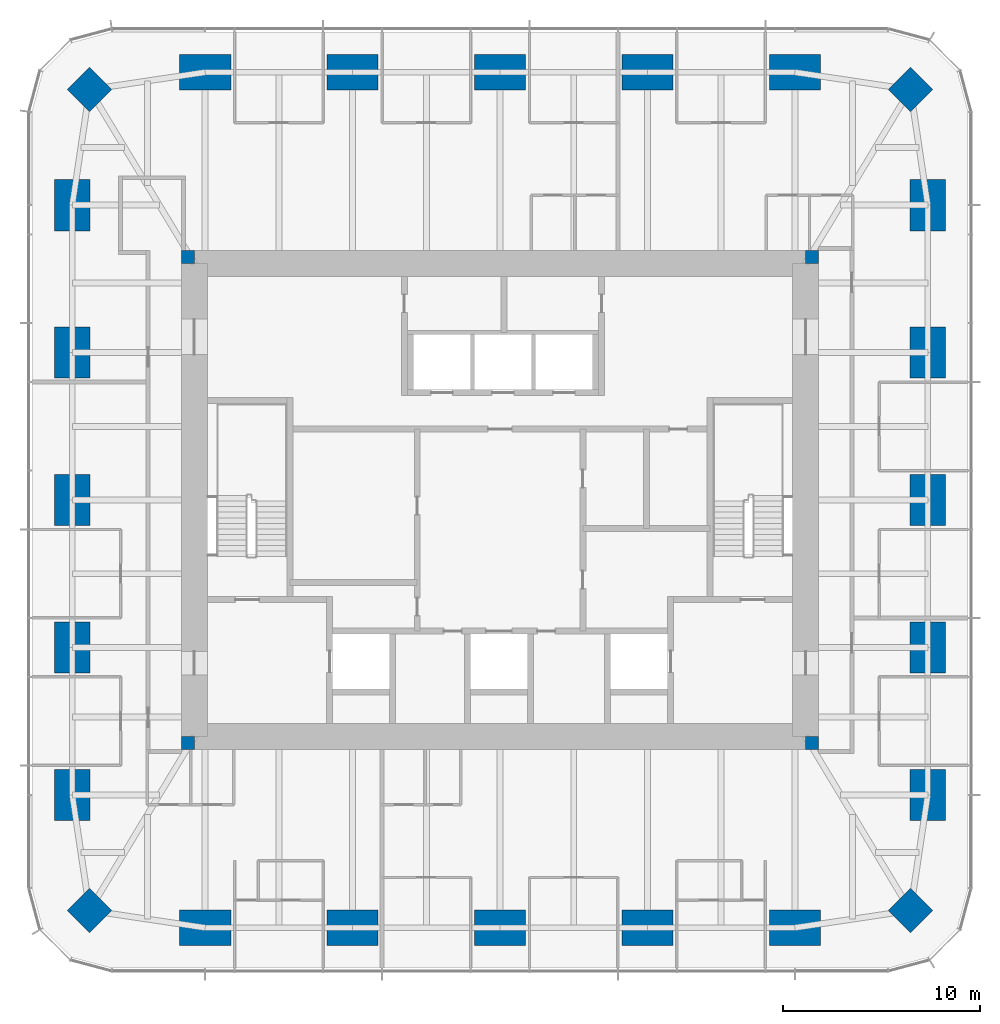
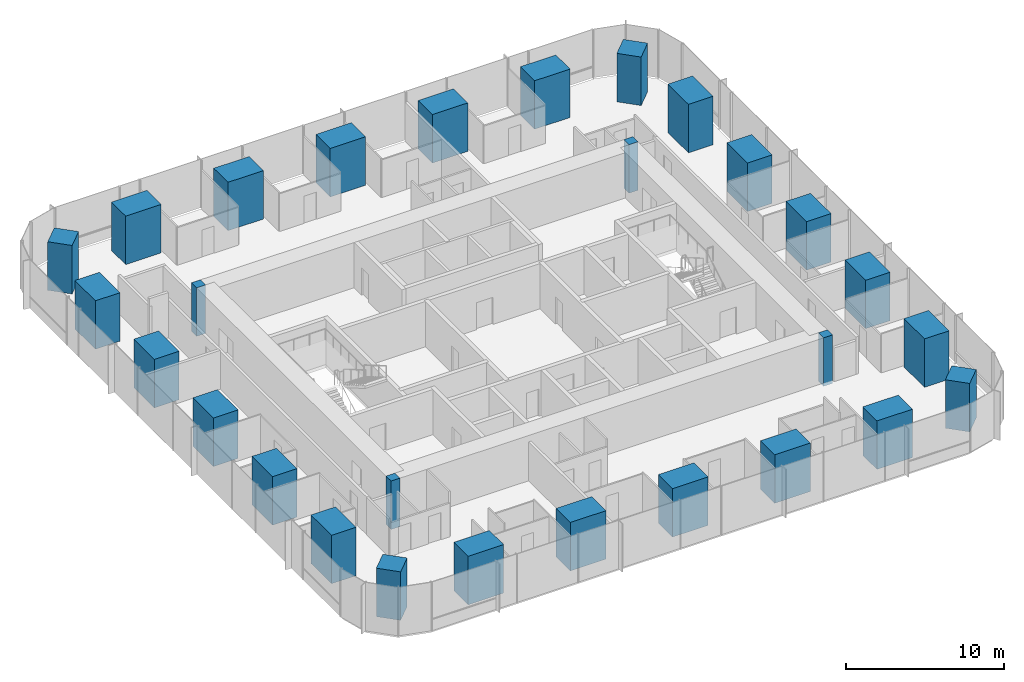
# One storey, part 1 of 12: 28 columns.
"""IFC4 building model written with IfcOpenShell, lengths in metres."""

from ifc_helpers import new_model, si_unit, direction, frame, origin, origin_2d, place, context, subcontext, project, spatial, rectangle, extrude, material, material_profile, profile_set, type_object, element, save


model = new_model("IFC4")

# Units and contexts
model_context = context("Model", 3, precision=1e-05, world=origin(), true_north=direction((0.0, 1.0)))
body_context = subcontext(model_context, "Body", "Model", "MODEL_VIEW")
ifc_project = project(units=[si_unit("LENGTHUNIT", "METRE"), si_unit("AREAUNIT", "SQUARE_METRE"), si_unit("VOLUMEUNIT", "CUBIC_METRE"), si_unit("PLANEANGLEUNIT", "RADIAN"), si_unit("MASSUNIT", "GRAM", prefix="KILO")], contexts=[model_context])

# Site, building, storey
site_placement = place(None, origin())
site = spatial("IfcSite", under=ifc_project, at=site_placement, CompositionType="ELEMENT")
building_placement = place(site_placement, origin())
building = spatial("IfcBuilding", under=site, at=building_placement, Name="Khuree Lantern Residences", CompositionType="ELEMENT")
storey_placement = place(building_placement, frame((0.0, 0.0, 297.0)))
storey = spatial("IfcBuildingStorey", under=building, at=storey_placement, Name="L74", CompositionType="ELEMENT", Elevation=297.0)

# Columns
ifc_material_1 = material(Name="Concrete C70/85", Category="concrete")
ifc_material_profile_1 = material_profile(ifc_material_1, rectangle(XDim=1.60009765625, YDim=1.60009765625, at=origin_2d()), Name="RC 1600X1600")
ifc_profile_set_1 = profile_set([ifc_material_profile_1], Name="Concrete C70/85")
column_type_1 = type_object("IfcColumnType", Name="CC1600A PERIMETER CORNER COLUMN RC 1600X1600", PredefinedType="COLUMN", material=ifc_profile_set_1)
for number, where, z_axis, x_axis, name in (
    (1, (20.8212890625, 20.8212890625, 0.0), (0.0, 0.0, 1.0), (0.707106781187, -0.707106781187, 0.0), "Perimeter column NE"),
    (2, (20.8212890625, -20.8212890625, 0.0), (0.0, 0.0, 1.0), (0.707106781187, 0.707106781187, 0.0), "Perimeter column SE"),
    (3, (-20.8212890625, -20.8212890625, 0.0), (0.0, 0.0, 1.0), (0.707106781187, -0.707106781187, 0.0), "Perimeter column SW"),
    (4, (-20.8212890625, 20.8212890625, 0.0), (0.0, 0.0, 1.0), (0.707106781187, 0.707106781187, 0.0), "Perimeter column NW"),
):
    element("IfcColumn", number, at=place(storey_placement, frame(where, z_axis=z_axis, x_axis=x_axis)), inside=storey, type_object=column_type_1, Name=name, PredefinedType="COLUMN", context=body_context, shape_type="SweptSolid", body=[
        extrude(rectangle(XDim=1.60009765625, YDim=1.60009765625, at=origin_2d()), origin(), (0.0, 0.0, 1.0), 3.75),
    ])
ifc_material_2 = material(Name="Concrete C50/60", Category="concrete")
ifc_material_profile_2 = material_profile(ifc_material_2, rectangle(XDim=0.64990234375, YDim=0.64990234375, at=origin_2d()), Name="RC 650X650")
ifc_profile_set_2 = profile_set([ifc_material_profile_2], Name="Concrete C50/60")
column_type_2 = type_object("IfcColumnType", Name="CP650-C50 CORE CORNER PIER C50 RC 650X650", PredefinedType="COLUMN", material=ifc_profile_set_2)
for number, where, z_axis, x_axis, name in (
    (5, (15.824951171875, 12.324951171875, -0.25), (0.0, 0.0, 1.0), (1.0, 0.0, 0.0), "Core corner pier NE"),
    (6, (-15.824951171875, 12.324951171875, -0.25), (0.0, 0.0, 1.0), (1.0, 0.0, 0.0), "Core corner pier NW"),
    (7, (-15.824951171875, -12.324951171875, -0.25), (0.0, 0.0, 1.0), (1.0, 0.0, 0.0), "Core corner pier SW"),
    (8, (15.824951171875, -12.324951171875, -0.25), (0.0, 0.0, 1.0), (1.0, 0.0, 0.0), "Core corner pier SE"),
):
    element("IfcColumn", number, at=place(storey_placement, frame(where, z_axis=z_axis, x_axis=x_axis)), inside=storey, type_object=column_type_2, Name=name, PredefinedType="COLUMN", context=body_context, shape_type="SweptSolid", body=[
        extrude(rectangle(XDim=0.64990234375, YDim=0.64990234375, at=origin_2d()), origin(), (0.0, 0.0, 1.0), 3.75),
    ])
ifc_material_profile_3 = material_profile(ifc_material_1, rectangle(XDim=2.60009765625, YDim=1.800048828125, at=origin_2d()), Name="RC 2600X1800")
ifc_profile_set_3 = profile_set([ifc_material_profile_3], Name="Concrete C70/85")
column_type_3 = type_object("IfcColumnType", Name="PC3 PERIMETER COLUMN RC 2600X1800", PredefinedType="COLUMN", material=ifc_profile_set_3)
for number, where, z_axis, x_axis, name in (
    (9, (-14.9599609375, 21.699951171875, 0.0), (0.0, 0.0, 1.0), (1.0, 0.0, 0.0), "Perimeter column N1"),
    (10, (-7.47998046875, 21.699951171875, 0.0), (0.0, 0.0, 1.0), (1.0, 0.0, 0.0), "Perimeter column N2"),
    (11, (0.0, 21.699951171875, 0.0), (0.0, 0.0, 1.0), (1.0, 0.0, 0.0), "Perimeter column N3"),
    (12, (7.47998046875, 21.699951171875, 0.0), (0.0, 0.0, 1.0), (1.0, 0.0, 0.0), "Perimeter column N4"),
    (13, (14.9599609375, 21.699951171875, 0.0), (0.0, 0.0, 1.0), (1.0, 0.0, 0.0), "Perimeter column N5"),
    (14, (21.699951171875, 14.9599609375, 0.0), (0.0, 0.0, 1.0), (0.0, 1.0, 0.0), "Perimeter column E1"),
    (15, (21.699951171875, 7.47998046875, 0.0), (0.0, 0.0, 1.0), (0.0, 1.0, 0.0), "Perimeter column E2"),
    (16, (21.699951171875, 0.0, 0.0), (0.0, 0.0, 1.0), (0.0, 1.0, 0.0), "Perimeter column E3"),
    (17, (21.699951171875, -7.47998046875, 0.0), (0.0, 0.0, 1.0), (0.0, 1.0, 0.0), "Perimeter column E4"),
    (18, (21.699951171875, -14.9599609375, 0.0), (0.0, 0.0, 1.0), (0.0, 1.0, 0.0), "Perimeter column E5"),
    (19, (14.9599609375, -21.699951171875, 0.0), (0.0, 0.0, 1.0), (1.0, 0.0, 0.0), "Perimeter column S1"),
    (20, (7.47998046875, -21.699951171875, 0.0), (0.0, 0.0, 1.0), (1.0, 0.0, 0.0), "Perimeter column S2"),
    (21, (0.0, -21.699951171875, 0.0), (0.0, 0.0, 1.0), (1.0, 0.0, 0.0), "Perimeter column S3"),
    (22, (-7.47998046875, -21.699951171875, 0.0), (0.0, 0.0, 1.0), (1.0, 0.0, 0.0), "Perimeter column S4"),
    (23, (-14.9599609375, -21.699951171875, 0.0), (0.0, 0.0, 1.0), (1.0, 0.0, 0.0), "Perimeter column S5"),
    (24, (-21.699951171875, -14.9599609375, 0.0), (0.0, 0.0, 1.0), (0.0, 1.0, 0.0), "Perimeter column W1"),
    (25, (-21.699951171875, -7.47998046875, 0.0), (0.0, 0.0, 1.0), (0.0, 1.0, 0.0), "Perimeter column W2"),
    (26, (-21.699951171875, 0.0, 0.0), (0.0, 0.0, 1.0), (0.0, 1.0, 0.0), "Perimeter column W3"),
    (27, (-21.699951171875, 7.47998046875, 0.0), (0.0, 0.0, 1.0), (0.0, 1.0, 0.0), "Perimeter column W4"),
    (28, (-21.699951171875, 14.9599609375, 0.0), (0.0, 0.0, 1.0), (0.0, 1.0, 0.0), "Perimeter column W5"),
):
    element("IfcColumn", number, at=place(storey_placement, frame(where, z_axis=z_axis, x_axis=x_axis)), inside=storey, type_object=column_type_3, Name=name, PredefinedType="COLUMN", context=body_context, shape_type="SweptSolid", body=[
        extrude(rectangle(XDim=2.60009765625, YDim=1.800048828125, at=origin_2d()), origin(), (0.0, 0.0, 1.0), 3.75),
    ])

save(model, "model.ifc")
